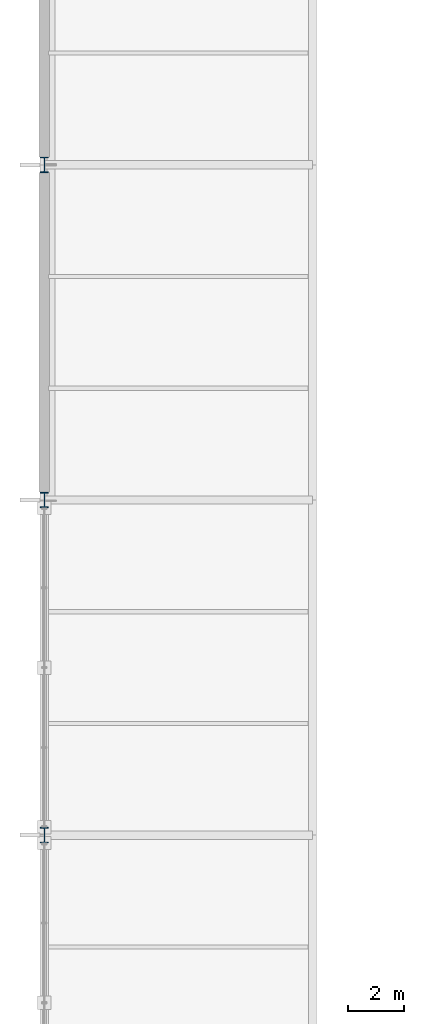
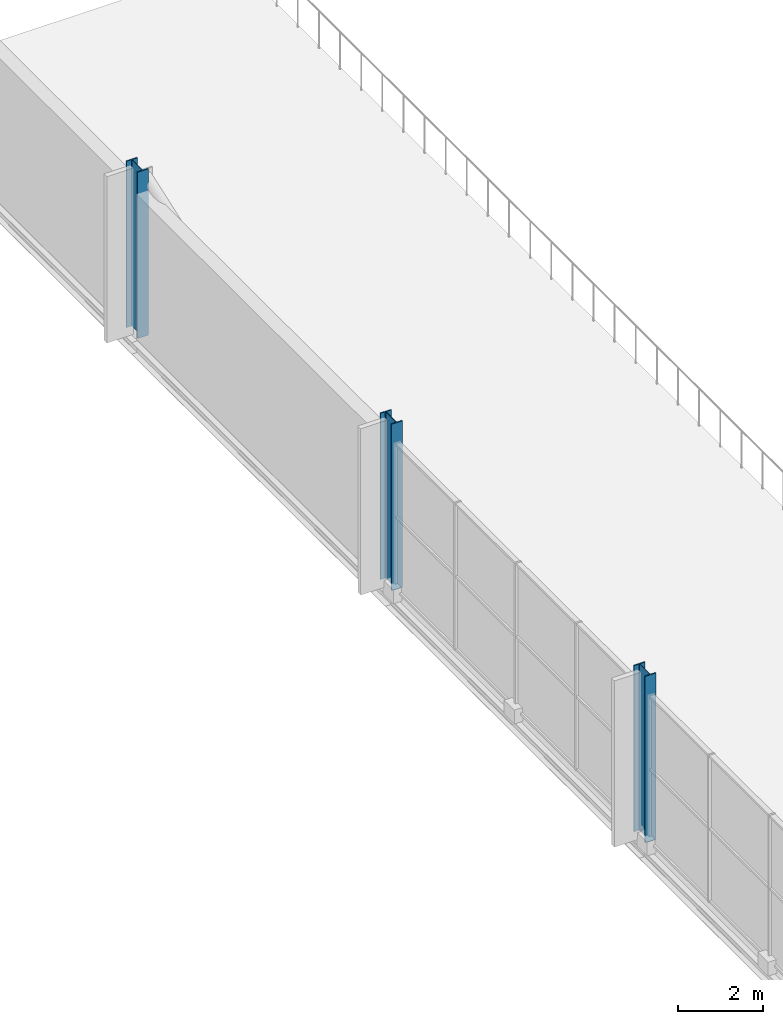
# One storey, part 10 of 159: 3 columns.
"""IFC4 building model written with IfcOpenShell, lengths in metres."""

from ifc_helpers import new_model, si_unit, direction, frame, origin, origin_2d, place, context, subcontext, project, spatial, i_section, extrude, material, material_profile, profile_set, type_object, element, save


model = new_model("IFC4")

# Units and contexts
model_context = context("Model", 3, precision=1e-05, world=origin(), true_north=direction((0.0, 1.0)))
body_context = subcontext(model_context, "Body", "Model", "MODEL_VIEW")
ifc_project = project(units=[si_unit("LENGTHUNIT", "METRE"), si_unit("AREAUNIT", "SQUARE_METRE"), si_unit("VOLUMEUNIT", "CUBIC_METRE"), si_unit("PLANEANGLEUNIT", "RADIAN"), si_unit("MASSUNIT", "GRAM", prefix="KILO")], contexts=[model_context])

# Site, building, storey
site_placement = place(None, origin())
site = spatial("IfcSite", under=ifc_project, at=site_placement, CompositionType="ELEMENT")
building_placement = place(site_placement, origin())
building = spatial("IfcBuilding", under=site, at=building_placement, Name="Merenkruunu Market Hall", CompositionType="ELEMENT")
storey_placement = place(building_placement, frame((0.0, 0.0, 5.39990234375)))
storey = spatial("IfcBuildingStorey", under=building, at=storey_placement, Name="L01", CompositionType="ELEMENT", Elevation=5.39990234375)

# Columns
ifc_material = material(Name="Steel S355ML", Category="steel")
ifc_material_profile = material_profile(ifc_material, i_section(OverallWidth=0.300048828125, OverallDepth=0.550048828125, WebThickness=0.014892578125, FlangeThickness=0.029052734375, FilletRadius=0.027099609375, at=origin_2d()), Name="HEB 550")
ifc_profile_set = profile_set([ifc_material_profile], Name="Steel S355ML")
column_type = type_object("IfcColumnType", Name="Structural Column C02", PredefinedType="COLUMN", material=ifc_profile_set)
for number, where, z_axis, x_axis, name in (
    (1, (0.0, 63.60009765625, 0.0), (0.0, 0.0, 1.0), (1.0, 0.0, 0.0), "COL-L01-A-08"),
    (2, (0.0, 75.60009765625, 0.0), (0.0, 0.0, 1.0), (1.0, 0.0, 0.0), "COL-L01-A-09"),
    (3, (0.0, 87.60009765625, 0.0), (0.0, 0.0, 1.0), (1.0, 0.0, 0.0), "COL-L01-A-10"),
):
    element("IfcColumn", number, at=place(storey_placement, frame(where, z_axis=z_axis, x_axis=x_axis)), inside=storey, type_object=column_type, Name=name, PredefinedType="COLUMN", context=body_context, shape_type="SweptSolid", body=[
        extrude(i_section(OverallWidth=0.300048828125, OverallDepth=0.550048828125, WebThickness=0.014892578125, FlangeThickness=0.029052734375, FilletRadius=0.027099609375, at=origin_2d()), origin(), (0.0, 0.0, 1.0), 4.800048828125),
    ])

save(model, "model.ifc")
